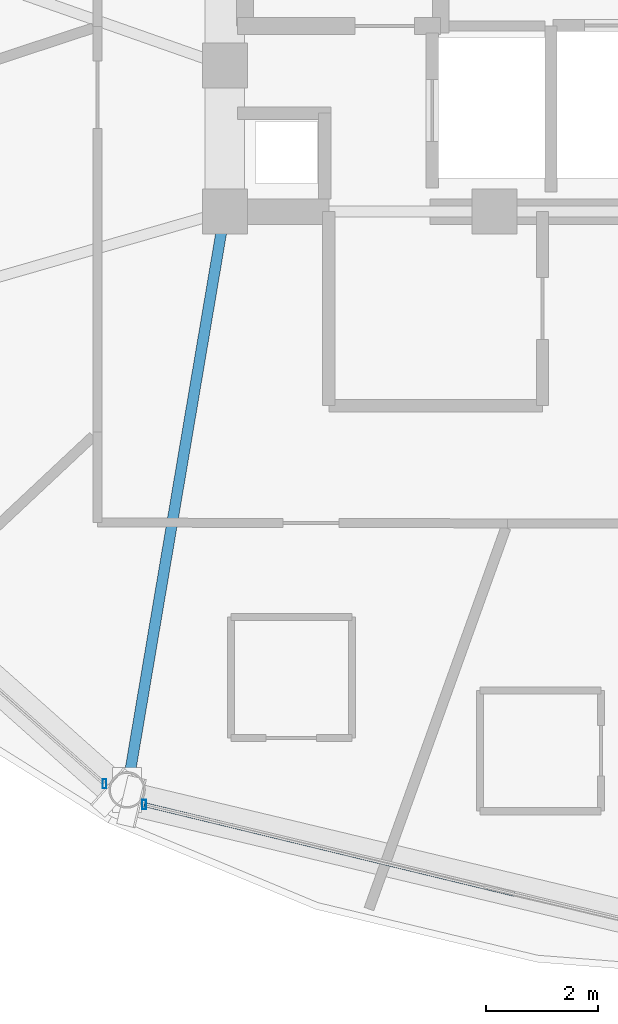
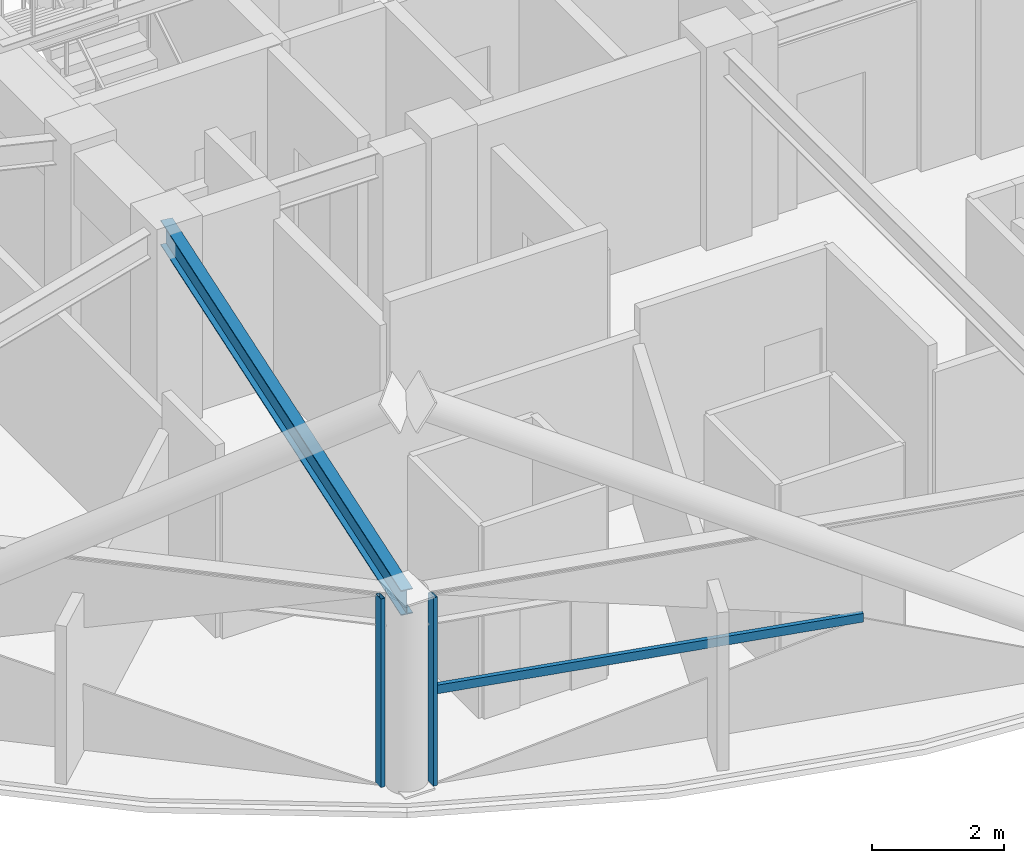
# One storey, part 2 of 30: 3 members, 1 beam, 2 elements without a shape of their own.
"""IFC4 building model written with IfcOpenShell, lengths in metres."""

from ifc_helpers import new_model, si_unit, direction, frame, origin, origin_2d, place, context, subcontext, project, spatial, hollow_rectangle, i_section, extrude, material, layer, layer_set, material_profile, profile_set, type_object, element, aggregate, save


model = new_model("IFC4")

# Units and contexts
model_context = context("Model", 3, precision=1e-05, world=origin(), true_north=direction((0.0, 1.0)))
body_context = subcontext(model_context, "Body", "Model", "MODEL_VIEW")
ifc_project = project(units=[si_unit("LENGTHUNIT", "METRE"), si_unit("AREAUNIT", "SQUARE_METRE"), si_unit("VOLUMEUNIT", "CUBIC_METRE"), si_unit("PLANEANGLEUNIT", "RADIAN"), si_unit("MASSUNIT", "GRAM", prefix="KILO")], contexts=[model_context])

# Site, building, storey
site_placement = place(None, origin())
site = spatial("IfcSite", under=ifc_project, at=site_placement, CompositionType="ELEMENT")
building_placement = place(site_placement, origin())
building = spatial("IfcBuilding", under=site, at=building_placement, Name="Vantalir Tower", CompositionType="ELEMENT")
storey_placement = place(building_placement, frame((0.0, 0.0, 189.89990234375)))
storey = spatial("IfcBuildingStorey", under=building, at=storey_placement, Name="L47", CompositionType="ELEMENT", Elevation=189.89990234375)

# Beam
ifc_material_1 = material(Name="Steel S355", Category="steel")
ifc_material_profile_1 = material_profile(ifc_material_1, i_section(OverallWidth=0.19189453125, OverallDepth=0.462890625, WebThickness=0.010498046875, FlangeThickness=0.017578125, at=origin_2d()), Name="Steel S355")
ifc_profile_set_1 = profile_set([ifc_material_profile_1], Name="Steel S355")
beam_type = type_object("IfcBeamType", Name="BM-RB-457x191", PredefinedType="BEAM", material=ifc_profile_set_1)
beam_placement = place(storey_placement, frame((20.162109375, 7.51708984375, 3.338134765625), z_axis=(0.166634565595, 0.986018722717, 0.0), x_axis=(-0.986018722717, 0.166634565595, 0.0)))
element("IfcBeam", 1, at=beam_placement, inside=storey, type_object=beam_type, Name="L47 Radial Floor Beam 09", PredefinedType="BEAM", context=body_context, shape_type="SweptSolid", body=[
    extrude(i_section(OverallWidth=0.19189453125, OverallDepth=0.462890625, WebThickness=0.010498046875, FlangeThickness=0.017578125, at=origin_2d()), origin(), (0.0, 0.0, 1.0), 10.4287109375),
])

# Curtain wall, member
ifc_material_2 = material(Name="Champagne-silver PVDF aluminium and double-silver Low-E glass", Category="aluminium")
ifc_layer = layer(ifc_material_2, 0.2099609375)
ifc_layer_set = layer_set([ifc_layer], Name="Champagne-silver PVDF aluminium and double-silver Low-E glass")
curtain_wall_type = type_object("IfcCurtainWallType", Name="CW-DIAMOND-Z3", PredefinedType="USERDEFINED", material=ifc_layer_set)
curtain_wall_1_placement = place(storey_placement, origin())
curtain_wall_1 = element("IfcCurtainWall", 2, at=curtain_wall_1_placement, inside=storey, type_object=curtain_wall_type, Name="L47 Quilted Pyramid-Diamond Curtain Wall S08", ObjectType="UNITISED CURTAIN WALL", PredefinedType="USERDEFINED")
ifc_material_3 = material(Name="Champagne-silver PVDF aluminium 6063-T6", Category="aluminium")
ifc_material_profile_2 = material_profile(ifc_material_3, hollow_rectangle(XDim=0.070068359375, YDim=0.1650390625, WallThickness=0.00390625, at=origin_2d()), Name="Champagne-silver PVDF aluminium 6063-T6")
ifc_profile_set_2 = profile_set([ifc_material_profile_2], Name="Champagne-silver PVDF aluminium 6063-T6")
member_type_1 = type_object("IfcMemberType", Name="CWM-165x70", PredefinedType="MULLION", material=ifc_profile_set_2)
member_1_placement = place(storey_placement, frame((19.760986328125, 7.625, 0.045166015625), z_axis=(0.0, 0.0, 1.0), x_axis=(1.0, 0.0, 0.0)))
member_1 = element("IfcMember", 3, at=member_1_placement, type_object=member_type_1, Name="CW-L47-S08 Mullion 2", PredefinedType="MULLION", context=body_context, shape_type="SweptSolid", body=[
    extrude(hollow_rectangle(XDim=0.070068359375, YDim=0.1650390625, WallThickness=0.00390625, at=origin_2d()), origin(), (0.0, 0.0, 1.0), 3.47998046875),
])
aggregate(curtain_wall_1, [member_1])

# Curtain wall, members
curtain_wall_2_placement = place(storey_placement, origin())
curtain_wall_2 = element("IfcCurtainWall", 4, at=curtain_wall_2_placement, inside=storey, type_object=curtain_wall_type, Name="L47 Quilted Pyramid-Diamond Curtain Wall S09", ObjectType="UNITISED CURTAIN WALL", PredefinedType="USERDEFINED")
member_2_placement = place(storey_placement, frame((20.466064453125, 7.257080078125, 0.045166015625), z_axis=(0.0, 0.0, 1.0), x_axis=(1.0, 0.0, 0.0)))
member_2 = element("IfcMember", 5, at=member_2_placement, type_object=member_type_1, Name="CW-L47-S09 Mullion 1", PredefinedType="MULLION", context=body_context, shape_type="SweptSolid", body=[
    extrude(hollow_rectangle(XDim=0.070068359375, YDim=0.1650390625, WallThickness=0.00390625, at=origin_2d()), origin(), (0.0, 0.0, 1.0), 3.47998046875),
])
ifc_material_profile_3 = material_profile(ifc_material_3, hollow_rectangle(XDim=0.074951171875, YDim=0.159912109375, WallThickness=0.00390625, at=origin_2d()), Name="Champagne-silver PVDF aluminium 6063-T6")
ifc_profile_set_3 = profile_set([ifc_material_profile_3], Name="Champagne-silver PVDF aluminium 6063-T6")
member_type_2 = type_object("IfcMemberType", Name="CWT-160x75", PredefinedType="USERDEFINED", material=ifc_profile_set_3)
member_3_placement = place(storey_placement, frame((20.466064453125, 7.257080078125, 1.78515625), z_axis=(0.971813611067, -0.235750515048, 0.0), x_axis=(0.235750515048, 0.971813611067, 0.0)))
member_3 = element("IfcMember", 6, at=member_3_placement, type_object=member_type_2, Name="CW-L47-S09 Pyramid Fold Ridge Transom", ObjectType="TRANSOM", PredefinedType="USERDEFINED", context=body_context, shape_type="SweptSolid", body=[
    extrude(hollow_rectangle(XDim=0.074951171875, YDim=0.159912109375, WallThickness=0.00390625, at=origin_2d()), origin(), (0.0, 0.0, 1.0), 6.779052734375),
])
aggregate(curtain_wall_2, [member_2, member_3])

save(model, "model.ifc")
